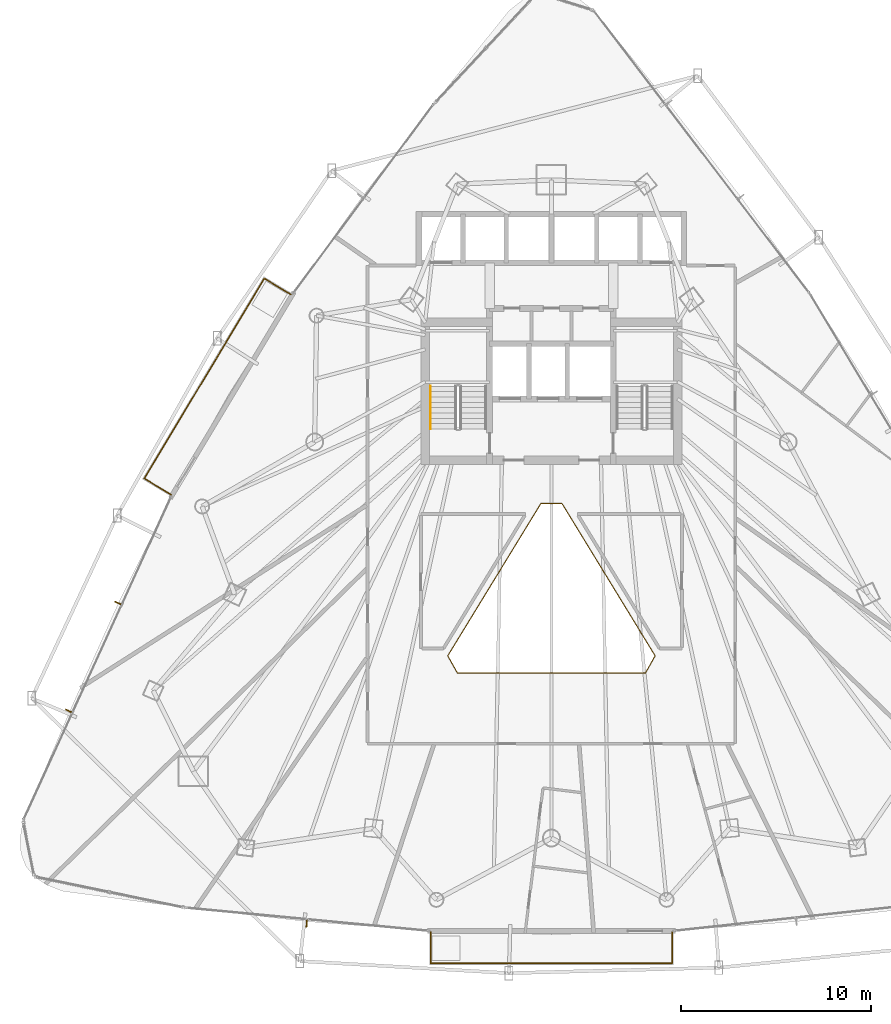
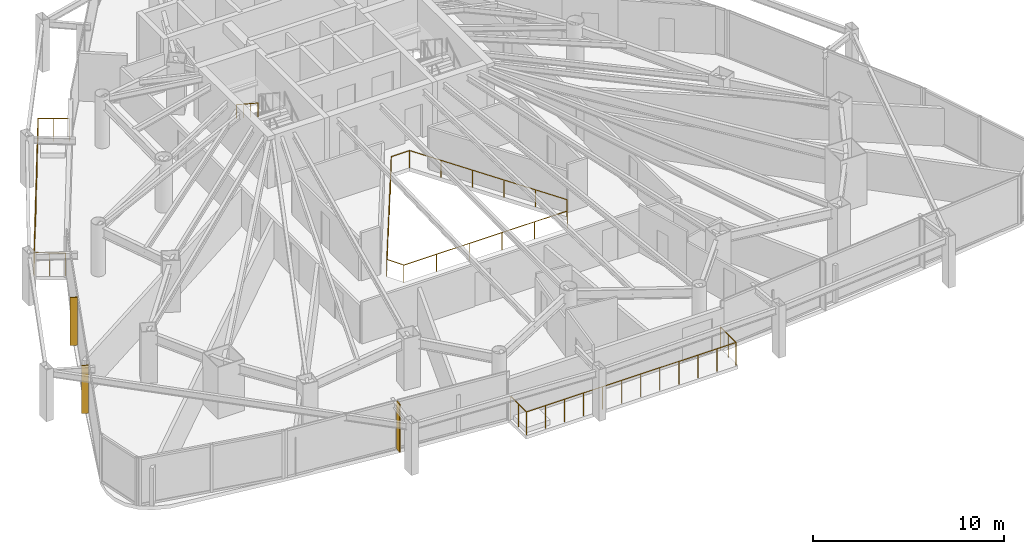
# One storey, part 32 of 34: 4 railings, 3 shading devices.
"""IFC4 building model written with IfcOpenShell, lengths in metres."""

from ifc_helpers import new_model, si_unit, direction, frame, origin, origin_2d, place, context, subcontext, project, spatial, rectangle, circle, extrude, material, layer, layer_set, type_object, element, save


model = new_model("IFC4")

# Units and contexts
model_context = context("Model", 3, precision=1e-05, world=origin(), true_north=direction((0.0, 1.0)))
body_context = subcontext(model_context, "Body", "Model", "MODEL_VIEW")
ifc_project = project(units=[si_unit("LENGTHUNIT", "METRE"), si_unit("AREAUNIT", "SQUARE_METRE"), si_unit("VOLUMEUNIT", "CUBIC_METRE"), si_unit("PLANEANGLEUNIT", "RADIAN"), si_unit("MASSUNIT", "GRAM", prefix="KILO")], contexts=[model_context])

# Site, building, storey
site_placement = place(None, origin())
site = spatial("IfcSite", under=ifc_project, at=site_placement, CompositionType="ELEMENT")
building_placement = place(site_placement, origin())
building = spatial("IfcBuilding", under=site, at=building_placement, Name="Orvanel Arch Residences", CompositionType="ELEMENT")
storey_placement = place(building_placement, frame((0.0, 0.0, 64.25)))
storey = spatial("IfcBuildingStorey", under=building, at=storey_placement, Name="L17", CompositionType="ELEMENT", Elevation=64.25)

# Shading devices
ifc_material_1 = material(Name="Bronze-anodised aluminium AA6063-T6", Category="aluminium")
ifc_layer = layer(ifc_material_1, 0.06005859375)
ifc_layer_set = layer_set([ifc_layer], Name="Bronze-anodised aluminium AA6063-T6")
shading_device_type = type_object("IfcShadingDeviceType", Name="FIN-BRZ-380", PredefinedType="USERDEFINED", material=ifc_layer_set)
for number, where, z_axis, x_axis, name in (
    (1, (10.24609375, 19.18408203125, 0.0), (0.0, 0.0, 1.0), (-0.909236109047, 0.41628079226, 0.0), "L17 Anodised Bronze Mullion FIN 01"),
    (2, (7.656982421875, 13.51904296875, 0.0), (0.0, 0.0, 1.0), (-0.909236109047, 0.41628079226, 0.0), "L17 Anodised Bronze Mullion FIN 02"),
    (3, (20.153076171875, 2.361083984375, 0.0), (0.0, 0.0, 1.0), (-0.094108313319, -0.995561964603, 0.0), "L17 Anodised Bronze Mullion FIN 01"),
):
    element("IfcShadingDevice", number, at=place(storey_placement, frame(where, z_axis=z_axis, x_axis=x_axis)), inside=storey, type_object=shading_device_type, Name=name, ObjectType="FIN", PredefinedType="USERDEFINED", context=body_context, shape_type="SweptSolid", body=[
        extrude(rectangle(XDim=0.3798828125, YDim=0.06005859375, at=origin_2d()), origin(), (0.0, 0.0, 1.0), 3.06005859375),
    ])

# Railings
railing_type_1 = type_object("IfcRailingType", Name="RL-ATR-1120", PredefinedType="BALUSTRADE", material=ifc_material_1)
railing_1_placement = place(storey_placement, frame((33.551025390625, 24.409912109375, 0.0)))
element("IfcRailing", 4, at=railing_1_placement, inside=storey, type_object=railing_type_1, Name="L17 Atrium Void Protective Balustrade", PredefinedType="BALUSTRADE", context=body_context, shape_type="SweptSolid", body=[
    extrude(circle(Radius=0.02392578125, at=origin_2d()), frame((-0.00146484375, 0.0, 1.09619140625), z_axis=(-1.0, 0.0, 0.0), x_axis=(0.0, -1.0, 0.0)), (0.0, 0.0, 1.0), 1.09912109375),
    extrude(circle(Radius=0.02392578125, at=origin_2d()), frame((-1.102783203125, -0.001220703125, 1.09619140625), z_axis=(-0.521602774539, -0.853188458427, 0.0), x_axis=(0.853188458427, -0.521602774539, 0.0)), (0.0, 0.0, 1.0), 9.369873046875),
    extrude(circle(Radius=0.02392578125, at=origin_2d()), frame((-5.990234375, -7.998046875, 1.09619140625), z_axis=(0.488387613231, -0.872626804105, 0.0), x_axis=(0.872626804105, 0.488387613231, 0.0)), (0.0, 0.0, 1.0), 1.03076171875),
    extrude(circle(Radius=0.02392578125, at=origin_2d()), frame((-5.484619140625, -8.89892578125, 1.09619140625), z_axis=(1.0, 0.0, 0.0), x_axis=(0.0, 1.0, 0.0)), (0.0, 0.0, 1.0), 9.8671875),
    extrude(circle(Radius=0.02392578125, at=origin_2d()), frame((4.384765625, -8.897705078125, 1.09619140625), z_axis=(0.488387613231, 0.872626804105, 0.0), x_axis=(-0.872626804105, 0.488387613231, 0.0)), (0.0, 0.0, 1.0), 1.03076171875),
    extrude(circle(Radius=0.02392578125, at=origin_2d()), frame((4.88818359375, -7.99560546875, 1.09619140625), z_axis=(-0.521602774539, 0.853188458427, 0.0), x_axis=(-0.853188458427, -0.521602774539, 0.0)), (0.0, 0.0, 1.0), 9.369873046875),
    extrude(circle(Radius=0.02099609375, at=origin_2d()), origin(), (0.0, 0.0, 1.0), 1.070068359375),
    extrude(circle(Radius=0.02099609375, at=origin_2d()), frame((-1.10205078125, 0.0, 0.0)), (0.0, 0.0, 1.0), 1.070068359375),
    extrude(circle(Radius=0.02099609375, at=origin_2d()), frame((-2.079833984375, -1.599365234375, 0.0)), (0.0, 0.0, 1.0), 1.070068359375),
    extrude(circle(Radius=0.02099609375, at=origin_2d()), frame((-3.0576171875, -3.19873046875, 0.0)), (0.0, 0.0, 1.0), 1.070068359375),
    extrude(circle(Radius=0.02099609375, at=origin_2d()), frame((-4.035400390625, -4.798095703125, 0.0)), (0.0, 0.0, 1.0), 1.070068359375),
    extrude(circle(Radius=0.02099609375, at=origin_2d()), frame((-5.01318359375, -6.3974609375, 0.0)), (0.0, 0.0, 1.0), 1.070068359375),
    extrude(circle(Radius=0.02099609375, at=origin_2d()), frame((-5.990966796875, -7.996826171875, 0.0)), (0.0, 0.0, 1.0), 1.070068359375),
    extrude(circle(Radius=0.02099609375, at=origin_2d()), frame((-5.486083984375, -8.89892578125, 0.0)), (0.0, 0.0, 1.0), 1.070068359375),
    extrude(circle(Radius=0.02099609375, at=origin_2d()), frame((-3.511962890625, -8.89892578125, 0.0)), (0.0, 0.0, 1.0), 1.070068359375),
    extrude(circle(Radius=0.02099609375, at=origin_2d()), frame((-1.5380859375, -8.89892578125, 0.0)), (0.0, 0.0, 1.0), 1.070068359375),
    extrude(circle(Radius=0.02099609375, at=origin_2d()), frame((0.43603515625, -8.89892578125, 0.0)), (0.0, 0.0, 1.0), 1.070068359375),
    extrude(circle(Radius=0.02099609375, at=origin_2d()), frame((2.409912109375, -8.89892578125, 0.0)), (0.0, 0.0, 1.0), 1.070068359375),
    extrude(circle(Radius=0.02099609375, at=origin_2d()), frame((4.384033203125, -8.89892578125, 0.0)), (0.0, 0.0, 1.0), 1.070068359375),
    extrude(circle(Radius=0.02099609375, at=origin_2d()), frame((4.888916015625, -7.996826171875, 0.0)), (0.0, 0.0, 1.0), 1.070068359375),
    extrude(circle(Radius=0.02099609375, at=origin_2d()), frame((3.9111328125, -6.3974609375, 0.0)), (0.0, 0.0, 1.0), 1.070068359375),
    extrude(circle(Radius=0.02099609375, at=origin_2d()), frame((2.933349609375, -4.798095703125, 0.0)), (0.0, 0.0, 1.0), 1.070068359375),
    extrude(circle(Radius=0.02099609375, at=origin_2d()), frame((1.95556640625, -3.19873046875, 0.0)), (0.0, 0.0, 1.0), 1.070068359375),
    extrude(circle(Radius=0.02099609375, at=origin_2d()), frame((0.977783203125, -1.599365234375, 0.0)), (0.0, 0.0, 1.0), 1.070068359375),
])
railing_type_2 = type_object("IfcRailingType", Name="RL-BAL-1480", PredefinedType="BALUSTRADE", material=ifc_material_1)
railing_2_placement = place(storey_placement, frame((19.330078125, 35.37890625, 0.0)))
element("IfcRailing", 5, at=railing_2_placement, inside=storey, type_object=railing_type_2, Name="L17 Balcony Perimeter Guardrail Face 1", PredefinedType="BALUSTRADE", context=body_context, shape_type="SweptSolid", body=[
    extrude(circle(Radius=0.02392578125, at=origin_2d()), frame((-0.001220703125, 0.000732421875, 1.4560546875), z_axis=(-0.857387817543, 0.514670895164, 0.0), x_axis=(-0.514670895164, -0.857387817543, 0.0)), (0.0, 0.0, 1.0), 1.636962890625),
    extrude(circle(Radius=0.02392578125, at=origin_2d()), frame((-1.40673828125, 0.8427734375, 1.4560546875), z_axis=(-0.514393151016, -0.857554480012, 0.0), x_axis=(0.857554480012, -0.514393151016, 0.0)), (0.0, 0.0, 1.0), 12.24462890625),
    extrude(circle(Radius=0.02392578125, at=origin_2d()), frame((-7.704833984375, -9.65966796875, 1.4560546875), z_axis=(0.857545439568, -0.514408222208, 0.0), x_axis=(0.514408222208, 0.857545439568, 0.0)), (0.0, 0.0, 1.0), 1.6376953125),
    extrude(circle(Radius=0.02099609375, at=origin_2d()), origin(), (0.0, 0.0, 1.0), 1.429931640625),
    extrude(circle(Radius=0.02099609375, at=origin_2d()), frame((-0.703125, 0.421875, 0.0)), (0.0, 0.0, 1.0), 1.429931640625),
    extrude(circle(Radius=0.02099609375, at=origin_2d()), frame((-1.406005859375, 0.843994140625, 0.0)), (0.0, 0.0, 1.0), 1.429931640625),
    extrude(circle(Radius=0.02099609375, at=origin_2d()), frame((-1.978759765625, -0.11083984375, 0.0)), (0.0, 0.0, 1.0), 1.429931640625),
    extrude(circle(Radius=0.02099609375, at=origin_2d()), frame((-2.551513671875, -1.065673828125, 0.0)), (0.0, 0.0, 1.0), 1.429931640625),
    extrude(circle(Radius=0.02099609375, at=origin_2d()), frame((-3.124267578125, -2.0205078125, 0.0)), (0.0, 0.0, 1.0), 1.429931640625),
    extrude(circle(Radius=0.02099609375, at=origin_2d()), frame((-3.697021484375, -2.975341796875, 0.0)), (0.0, 0.0, 1.0), 1.429931640625),
    extrude(circle(Radius=0.02099609375, at=origin_2d()), frame((-4.269775390625, -3.93017578125, 0.0)), (0.0, 0.0, 1.0), 1.429931640625),
    extrude(circle(Radius=0.02099609375, at=origin_2d()), frame((-4.84228515625, -4.884765625, 0.0)), (0.0, 0.0, 1.0), 1.429931640625),
    extrude(circle(Radius=0.02099609375, at=origin_2d()), frame((-5.4150390625, -5.839599609375, 0.0)), (0.0, 0.0, 1.0), 1.429931640625),
    extrude(circle(Radius=0.02099609375, at=origin_2d()), frame((-5.98779296875, -6.79443359375, 0.0)), (0.0, 0.0, 1.0), 1.429931640625),
    extrude(circle(Radius=0.02099609375, at=origin_2d()), frame((-6.560546875, -7.749267578125, 0.0)), (0.0, 0.0, 1.0), 1.429931640625),
    extrude(circle(Radius=0.02099609375, at=origin_2d()), frame((-7.13330078125, -8.7041015625, 0.0)), (0.0, 0.0, 1.0), 1.429931640625),
    extrude(circle(Radius=0.02099609375, at=origin_2d()), frame((-7.7060546875, -9.658935546875, 0.0)), (0.0, 0.0, 1.0), 1.429931640625),
    extrude(circle(Radius=0.02099609375, at=origin_2d()), frame((-7.00244140625, -10.0810546875, 0.0)), (0.0, 0.0, 1.0), 1.429931640625),
    extrude(circle(Radius=0.02099609375, at=origin_2d()), frame((-6.299072265625, -10.5029296875, 0.0)), (0.0, 0.0, 1.0), 1.429931640625),
])
railing_3_placement = place(storey_placement, frame((26.6669921875, 1.906005859375, 0.0)))
element("IfcRailing", 6, at=railing_3_placement, inside=storey, type_object=railing_type_2, Name="L17 Balcony Perimeter Guardrail Face 2", PredefinedType="BALUSTRADE", context=body_context, shape_type="SweptSolid", body=[
    extrude(circle(Radius=0.02392578125, at=origin_2d()), frame((0.0, -0.00146484375, 1.4560546875), z_axis=(0.0, -1.0, 0.0), x_axis=(1.0, 0.0, 0.0)), (0.0, 0.0, 1.0), 1.636962890625),
    extrude(circle(Radius=0.02392578125, at=origin_2d()), frame((0.00146484375, -1.639892578125, 1.4560546875), z_axis=(1.0, 0.0, 0.0), x_axis=(0.0, 1.0, 0.0)), (0.0, 0.0, 1.0), 12.6630859375),
    extrude(circle(Radius=0.02392578125, at=origin_2d()), frame((12.666015625, -1.638427734375, 1.4560546875), z_axis=(0.0, 1.0, 0.0), x_axis=(-1.0, 0.0, 0.0)), (0.0, 0.0, 1.0), 1.636962890625),
    extrude(circle(Radius=0.02099609375, at=origin_2d()), origin(), (0.0, 0.0, 1.0), 1.429931640625),
    extrude(circle(Radius=0.02099609375, at=origin_2d()), frame((0.0, -0.81982421875, 0.0)), (0.0, 0.0, 1.0), 1.429931640625),
    extrude(circle(Radius=0.02099609375, at=origin_2d()), frame((0.0, -1.639892578125, 0.0)), (0.0, 0.0, 1.0), 1.429931640625),
    extrude(circle(Radius=0.02099609375, at=origin_2d()), frame((1.1513671875, -1.639892578125, 0.0)), (0.0, 0.0, 1.0), 1.429931640625),
    extrude(circle(Radius=0.02099609375, at=origin_2d()), frame((2.302978515625, -1.639892578125, 0.0)), (0.0, 0.0, 1.0), 1.429931640625),
    extrude(circle(Radius=0.02099609375, at=origin_2d()), frame((3.454345703125, -1.639892578125, 0.0)), (0.0, 0.0, 1.0), 1.429931640625),
    extrude(circle(Radius=0.02099609375, at=origin_2d()), frame((4.605712890625, -1.639892578125, 0.0)), (0.0, 0.0, 1.0), 1.429931640625),
    extrude(circle(Radius=0.02099609375, at=origin_2d()), frame((5.75732421875, -1.639892578125, 0.0)), (0.0, 0.0, 1.0), 1.429931640625),
    extrude(circle(Radius=0.02099609375, at=origin_2d()), frame((6.90869140625, -1.639892578125, 0.0)), (0.0, 0.0, 1.0), 1.429931640625),
    extrude(circle(Radius=0.02099609375, at=origin_2d()), frame((8.060302734375, -1.639892578125, 0.0)), (0.0, 0.0, 1.0), 1.429931640625),
    extrude(circle(Radius=0.02099609375, at=origin_2d()), frame((9.211669921875, -1.639892578125, 0.0)), (0.0, 0.0, 1.0), 1.429931640625),
    extrude(circle(Radius=0.02099609375, at=origin_2d()), frame((10.363037109375, -1.639892578125, 0.0)), (0.0, 0.0, 1.0), 1.429931640625),
    extrude(circle(Radius=0.02099609375, at=origin_2d()), frame((11.5146484375, -1.639892578125, 0.0)), (0.0, 0.0, 1.0), 1.429931640625),
    extrude(circle(Radius=0.02099609375, at=origin_2d()), frame((12.666015625, -1.639892578125, 0.0)), (0.0, 0.0, 1.0), 1.429931640625),
    extrude(circle(Radius=0.02099609375, at=origin_2d()), frame((12.666015625, -0.81982421875, 0.0)), (0.0, 0.0, 1.0), 1.429931640625),
    extrude(circle(Radius=0.02099609375, at=origin_2d()), frame((12.666015625, 0.0, 0.0)), (0.0, 0.0, 1.0), 1.429931640625),
])
ifc_material_2 = material(Name="Structural steel AS/NZS 1163 C350L0 (Grade 350)", Category="steel")
railing_type_3 = type_object("IfcRailingType", Name="RL-STAIR-HAND", PredefinedType="HANDRAIL", material=ifc_material_2)
railing_4_placement = place(storey_placement, frame((26.64990234375, 30.56005859375, 1.833251953125)))
element("IfcRailing", 7, at=railing_4_placement, inside=storey, type_object=railing_type_3, Name="L17 ST-1 stair handrail 2", PredefinedType="HANDRAIL", context=body_context, shape_type="SweptSolid", body=[
    extrude(circle(Radius=0.02392578125, at=origin_2d()), frame((0.0, -0.001220703125, 0.876708984375), z_axis=(0.0, -0.836595146698, 0.547821650285), x_axis=(1.0, 0.0, 0.0)), (0.0, 0.0, 1.0), 2.674560546875),
    extrude(circle(Radius=0.02099609375, at=origin_2d()), origin(), (0.0, 0.0, 1.0), 0.849853515625),
    extrude(circle(Radius=0.02099609375, at=origin_2d()), frame((0.0, -0.74658203125, 0.489013671875)), (0.0, 0.0, 1.0), 0.849853515625),
    extrude(circle(Radius=0.02099609375, at=origin_2d()), frame((0.0, -1.493408203125, 0.977783203125)), (0.0, 0.0, 1.0), 0.849853515625),
    extrude(circle(Radius=0.02099609375, at=origin_2d()), frame((0.0, -2.239990234375, 1.466796875)), (0.0, 0.0, 1.0), 0.849853515625),
])

save(model, "model.ifc")
